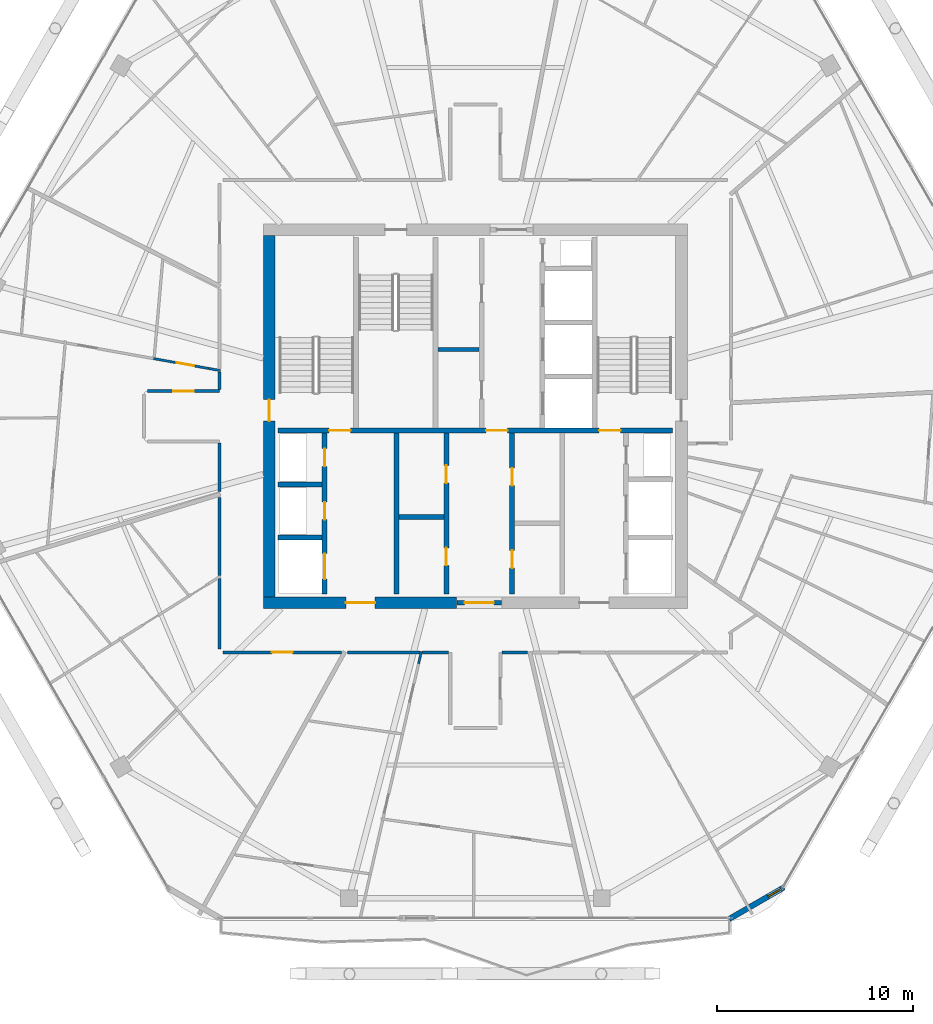
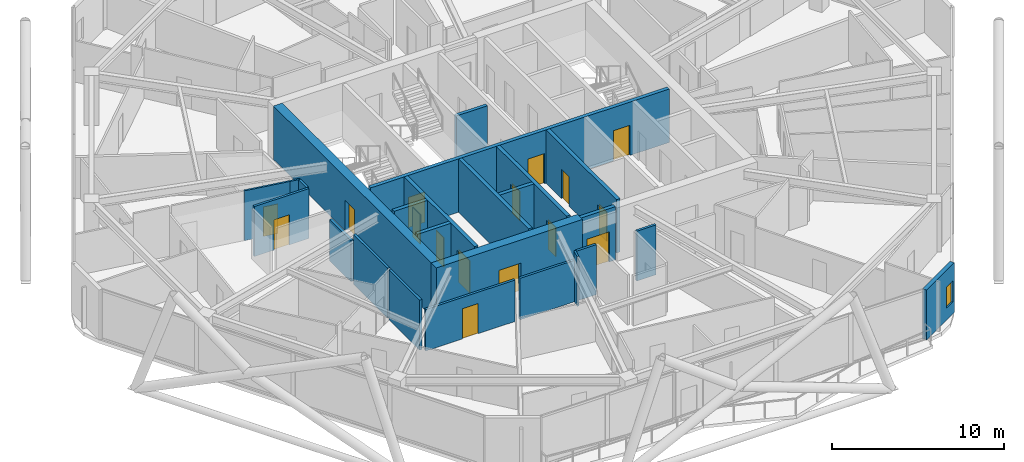
# One storey, part 21 of 27: 25 walls, 16 doors, 1 window, 17 openings.
"""IFC4 building model written with IfcOpenShell, lengths in metres."""

from ifc_helpers import new_model, si_unit, direction, frame, frame_2d, origin, place, context, subcontext, project, spatial, rectangle, extrude, material, layer, layer_set, type_object, element, fill, save


model = new_model("IFC4")

# Units and contexts
model_context = context("Model", 3, precision=1e-05, world=origin(), true_north=direction((0.0, 1.0)))
body_context = subcontext(model_context, "Body", "Model", "MODEL_VIEW")
ifc_project = project(units=[si_unit("LENGTHUNIT", "METRE"), si_unit("AREAUNIT", "SQUARE_METRE"), si_unit("VOLUMEUNIT", "CUBIC_METRE"), si_unit("PLANEANGLEUNIT", "RADIAN"), si_unit("MASSUNIT", "GRAM", prefix="KILO")], contexts=[model_context])

# Site, building, storey
site_placement = place(None, origin())
site = spatial("IfcSite", under=ifc_project, at=site_placement, CompositionType="ELEMENT")
building_placement = place(site_placement, origin())
building = spatial("IfcBuilding", under=site, at=building_placement, Name="Zuhravey Tower", CompositionType="ELEMENT")
storey_placement = place(building_placement, frame((0.0, 0.0, 276.800048828125)))
storey = spatial("IfcBuildingStorey", under=building, at=storey_placement, Name="L70", CompositionType="ELEMENT", Elevation=276.800048828125)

# Wall, opening, door
ifc_material_1 = material(Name="Concrete C50/60", Category="concrete")
ifc_layer_1 = layer(ifc_material_1, 0.60009765625)
ifc_layer_set_1 = layer_set([ifc_layer_1], Name="Concrete C50/60")
wall_type_1 = type_object("IfcWallType", Name="Core Shear Wall 600", PredefinedType="SHEAR", material=ifc_layer_set_1)
wall_1_placement = place(storey_placement, frame((25.199951171875, 22.5, 0.0), z_axis=(0.0, 0.0, 1.0), x_axis=(1.0, 0.0, 0.0)))
wall_1 = element("IfcWall", 1, at=wall_1_placement, inside=storey, type_object=wall_type_1, Name="L70 South-West Core Shear Wall CW60", PredefinedType="SHEAR", context=body_context, shape_type="SweptSolid", body=[
    extrude(rectangle(XDim=9.85009765625, YDim=0.60009765625, at=frame_2d((4.925048828125, 0.0))), origin(), (0.0, 0.0, 1.0), 3.800048828125),
])
opening_1_placement = place(wall_1_placement, frame((4.199951171875, 0.0, 0.0)))
opening_1 = element("IfcOpeningElement", 2, at=opening_1_placement, cuts=wall_1, Name="Opening FFD1", PredefinedType="OPENING", context=body_context, shape_type="SweptSolid", body=[
    extrude(rectangle(XDim=1.5, YDim=2.14990234375, at=frame_2d((0.75, 1.074951171875))), frame((0.0, 0.31201171875, 0.0), z_axis=(0.0, -1.0, 0.0), x_axis=(1.0, 0.0, 0.0)), (0.0, 0.0, 1.0), 0.6240234375),
])
ifc_material_2 = material(Name="Galvanised fire-rated steel leaf", Category="steel")
door_type_1 = type_object("IfcDoorType", Name="Firefighting Lobby Double Door 1500x2150", OperationType="DOUBLE_DOOR_SINGLE_SWING", PredefinedType="DOOR", material=ifc_material_2)
door_1_placement = place(opening_1_placement, origin())
door_1 = element("IfcDoor", 3, at=door_1_placement, inside=storey, type_object=door_type_1, Name="L70 Firefighting Lobby West Door", OperationType="DOUBLE_DOOR_SINGLE_SWING", OverallHeight=2.14990234375, OverallWidth=1.5, PredefinedType="DOOR", context=body_context, shape_type="SweptSolid", body=[
    extrude(rectangle(XDim=1.5, YDim=2.14990234375, at=frame_2d((0.75, 1.074951171875))), frame((0.0, 0.02490234375, 0.0), z_axis=(0.0, -1.0, 0.0), x_axis=(1.0, 0.0, 0.0)), (0.0, 0.0, 1.0), 0.050048828125),
])
fill(opening_1, door_1)

wall_2_placement = place(storey_placement, frame((25.5, 22.800048828125, 0.0), z_axis=(0.0, 0.0, 1.0), x_axis=(0.0, 1.0, 0.0)))
wall_2 = element("IfcWall", 4, at=wall_2_placement, inside=storey, type_object=wall_type_1, Name="L70 West Core Shear Wall CW60", PredefinedType="SHEAR", context=body_context, shape_type="SweptSolid", body=[
    extrude(rectangle(XDim=18.39990234375, YDim=0.60009765625, at=frame_2d((9.199951171875, 0.0))), origin(), (0.0, 0.0, 1.0), 3.800048828125),
])
opening_2_placement = place(wall_2_placement, frame((8.949951171875, 0.0, 0.0)))
opening_2 = element("IfcOpeningElement", 5, at=opening_2_placement, cuts=wall_2, Name="Opening STD1", PredefinedType="OPENING", context=body_context, shape_type="SweptSolid", body=[
    extrude(rectangle(XDim=1.10009765625, YDim=2.14990234375, at=frame_2d((0.550048828125, 1.074951171875))), frame((0.0, 0.31201171875, 0.0), z_axis=(0.0, -1.0, 0.0), x_axis=(1.0, 0.0, 0.0)), (0.0, 0.0, 1.0), 0.6240234375),
])
door_type_2 = type_object("IfcDoorType", Name="Protected Stair Fire Door 1100x2150", OperationType="NOTDEFINED", PredefinedType="USERDEFINED", material=ifc_material_2)
door_2_placement = place(opening_2_placement, frame((1.10009765625, 0.0, 0.0), z_axis=(0.0, 0.0, 1.0), x_axis=(-1.0, 0.0, 0.0)))
door_2 = element("IfcDoor", 6, at=door_2_placement, inside=storey, type_object=door_type_2, Name="L70 Stair ST1 Door", ObjectType="EXITDOOR", OperationType="SINGLE_SWING_RIGHT", OverallHeight=2.14990234375, OverallWidth=1.10009765625, PredefinedType="USERDEFINED", context=body_context, shape_type="SweptSolid", body=[
    extrude(rectangle(XDim=1.10009765625, YDim=2.14990234375, at=frame_2d((0.550048828125, 1.074951171875))), frame((0.0, 0.02490234375, 0.0), z_axis=(0.0, -1.0, 0.0), x_axis=(1.0, 0.0, 0.0)), (0.0, 0.0, 1.0), 0.050048828125),
])
fill(opening_2, door_2)

ifc_material_3 = material(Name="Gypsum fire-rated stud partition")
ifc_layer_2 = layer(ifc_material_3, 0.159912109375)
ifc_layer_set_2 = layer_set([ifc_layer_2], Name="Gypsum fire-rated stud partition")
wall_type_2 = type_object("IfcWallType", Name="Corridor Fire Partition 160", PredefinedType="PARTITIONING", material=ifc_layer_set_2)
wall_3_placement = place(storey_placement, frame((22.969970703125, 33.280029296875, 0.0), z_axis=(0.0, 0.0, 1.0), x_axis=(-1.0, 0.0, 0.0)))
wall_3 = element("IfcWall", 7, at=wall_3_placement, inside=storey, type_object=wall_type_2, Name="L70 IW16 Partition 026", PredefinedType="PARTITIONING", context=body_context, shape_type="SweptSolid", body=[
    extrude(rectangle(XDim=3.669921875, YDim=0.159912109375, at=frame_2d((1.8349609375, 0.0))), origin(), (0.0, 0.0, 1.0), 3.550048828125),
])
opening_3_placement = place(wall_3_placement, frame((1.31005859375, 0.0, 0.0)))
opening_3 = element("IfcOpeningElement", 8, at=opening_3_placement, cuts=wall_3, Name="Opening APD1", PredefinedType="OPENING", context=body_context, shape_type="SweptSolid", body=[
    extrude(rectangle(XDim=1.050048828125, YDim=2.14990234375, at=frame_2d((0.52490234375, 1.074951171875))), frame((0.0, 0.092041015625, 0.0), z_axis=(0.0, -1.0, 0.0), x_axis=(1.0, 0.0, 0.0)), (0.0, 0.0, 1.0), 0.183837890625),
])
ifc_material_4 = material(Name="Solid-core oak fire-rated leaf")
door_type_3 = type_object("IfcDoorType", Name="Apartment Entrance Fire Door 1050x2150", OperationType="NOTDEFINED", PredefinedType="DOOR", material=ifc_material_4)
door_3_placement = place(opening_3_placement, origin())
door_3 = element("IfcDoor", 9, at=door_3_placement, inside=storey, type_object=door_type_3, Name="L70 Door 026.1", OperationType="SINGLE_SWING_LEFT", OverallHeight=2.14990234375, OverallWidth=1.050048828125, PredefinedType="DOOR", context=body_context, shape_type="SweptSolid", body=[
    extrude(rectangle(XDim=1.050048828125, YDim=2.14990234375, at=frame_2d((0.52490234375, 1.074951171875))), frame((0.0, 0.02490234375, 0.0), z_axis=(0.0, -1.0, 0.0), x_axis=(1.0, 0.0, 0.0)), (0.0, 0.0, 1.0), 0.050048828125),
])
fill(opening_3, door_3)

wall_4_placement = place(storey_placement, frame((23.14990234375, 19.969970703125, 0.0), z_axis=(0.0, 0.0, 1.0), x_axis=(1.0, 0.0, 0.0)))
wall_4 = element("IfcWall", 10, at=wall_4_placement, inside=storey, type_object=wall_type_2, Name="L70 IW16 Partition 032", PredefinedType="PARTITIONING", context=body_context, shape_type="SweptSolid", body=[
    extrude(rectangle(XDim=6.02099609375, YDim=0.159912109375, at=frame_2d((3.010498046875, 0.0))), origin(), (0.0, 0.0, 1.0), 2.949951171875),
])
opening_4_placement = place(wall_4_placement, frame((2.4853515625, 0.0, 0.0)))
opening_4 = element("IfcOpeningElement", 11, at=opening_4_placement, cuts=wall_4, Name="Opening APD1", PredefinedType="OPENING", context=body_context, shape_type="SweptSolid", body=[
    extrude(rectangle(XDim=1.050048828125, YDim=2.14990234375, at=frame_2d((0.52490234375, 1.074951171875))), frame((0.0, 0.092041015625, 0.0), z_axis=(0.0, -1.0, 0.0), x_axis=(1.0, 0.0, 0.0)), (0.0, 0.0, 1.0), 0.183837890625),
])
door_4_placement = place(opening_4_placement, frame((1.050048828125, 0.0, 0.0), z_axis=(0.0, 0.0, 1.0), x_axis=(-1.0, 0.0, 0.0)))
door_4 = element("IfcDoor", 12, at=door_4_placement, inside=storey, type_object=door_type_3, Name="L70 Door 032.1", OperationType="SINGLE_SWING_LEFT", OverallHeight=2.14990234375, OverallWidth=1.050048828125, PredefinedType="DOOR", context=body_context, shape_type="SweptSolid", body=[
    extrude(rectangle(XDim=1.050048828125, YDim=2.14990234375, at=frame_2d((0.52490234375, 1.074951171875))), frame((0.0, 0.02490234375, 0.0), z_axis=(0.0, -1.0, 0.0), x_axis=(1.0, 0.0, 0.0)), (0.0, 0.0, 1.0), 0.050048828125),
])
fill(opening_4, door_4)

# Walls
wall_5_placement = place(storey_placement, frame((22.969970703125, 30.632080078125, 0.0), z_axis=(0.0, 0.0, 1.0), x_axis=(0.0, -1.0, 0.0)))
element("IfcWall", 13, at=wall_5_placement, inside=storey, type_object=wall_type_2, Name="L70 IW16 Partition 115", PredefinedType="PARTITIONING", context=body_context, shape_type="SweptSolid", body=[
    extrude(rectangle(XDim=2.470947265625, YDim=0.159912109375, at=frame_2d((1.2353515625, 0.0))), origin(), (0.0, 0.0, 1.0), 2.949951171875),
])
wall_6_placement = place(storey_placement, frame((22.969970703125, 34.26611328125, 0.0), z_axis=(0.0, 0.0, 1.0), x_axis=(0.0, -1.0, 0.0)))
element("IfcWall", 14, at=wall_6_placement, inside=storey, type_object=wall_type_2, Name="L70 IW16 Partition 117", PredefinedType="PARTITIONING", context=body_context, shape_type="SweptSolid", body=[
    extrude(rectangle(XDim=0.898193359375, YDim=0.159912109375, at=frame_2d((0.44921875, 0.0))), origin(), (0.0, 0.0, 1.0), 3.550048828125),
])
wall_7_placement = place(storey_placement, frame((22.969970703125, 23.73974609375, 0.0), z_axis=(0.0, 0.0, 1.0), x_axis=(0.0, -1.0, 0.0)))
element("IfcWall", 15, at=wall_7_placement, inside=storey, type_object=wall_type_2, Name="L70 IW16 Partition 119", PredefinedType="PARTITIONING", context=body_context, shape_type="SweptSolid", body=[
    extrude(rectangle(XDim=3.58984375, YDim=0.159912109375, at=frame_2d((1.794921875, 0.0))), origin(), (0.0, 0.0, 1.0), 3.550048828125),
])
wall_8_placement = place(storey_placement, frame((22.969970703125, 27.87060546875, 0.0), z_axis=(0.0, 0.0, 1.0), x_axis=(0.0, -1.0, 0.0)))
element("IfcWall", 16, at=wall_8_placement, inside=storey, type_object=wall_type_2, Name="L70 IW16 Partition 120", PredefinedType="PARTITIONING", context=body_context, shape_type="SweptSolid", body=[
    extrude(rectangle(XDim=3.970458984375, YDim=0.159912109375, at=frame_2d((1.9853515625, 0.0))), origin(), (0.0, 0.0, 1.0), 3.550048828125),
])
wall_9_placement = place(storey_placement, frame((33.31005859375, 19.969970703125, 0.0), z_axis=(0.0, 0.0, 1.0), x_axis=(1.0, 0.0, 0.0)))
element("IfcWall", 17, at=wall_9_placement, inside=storey, type_object=wall_type_2, Name="L70 IW16 Partition 123", PredefinedType="PARTITIONING", context=body_context, shape_type="SweptSolid", body=[
    extrude(rectangle(XDim=1.322021484375, YDim=0.159912109375, at=frame_2d((0.6611328125, 0.0))), origin(), (0.0, 0.0, 1.0), 3.550048828125),
])
wall_10_placement = place(storey_placement, frame((37.367919921875, 19.969970703125, 0.0), z_axis=(0.0, 0.0, 1.0), x_axis=(1.0, 0.0, 0.0)))
element("IfcWall", 18, at=wall_10_placement, inside=storey, type_object=wall_type_2, Name="L70 IW16 Partition 124", PredefinedType="PARTITIONING", context=body_context, shape_type="SweptSolid", body=[
    extrude(rectangle(XDim=1.278564453125, YDim=0.159912109375, at=frame_2d((0.63916015625, 0.0))), origin(), (0.0, 0.0, 1.0), 3.550048828125),
])
wall_11_placement = place(storey_placement, frame((29.490966796875, 19.969970703125, 0.0), z_axis=(0.0, 0.0, 1.0), x_axis=(1.0, 0.0, 0.0)))
element("IfcWall", 19, at=wall_11_placement, inside=storey, type_object=wall_type_2, Name="L70 IW16 Partition 125", PredefinedType="PARTITIONING", context=body_context, shape_type="SweptSolid", body=[
    extrude(rectangle(XDim=3.6796875, YDim=0.159912109375, at=frame_2d((1.83984375, 0.0))), origin(), (0.0, 0.0, 1.0), 2.949951171875),
])

# Wall, opening, window
ifc_material_5 = material(Name="Precast concrete C40/50", Category="concrete")
ifc_layer_3 = layer(ifc_material_5, 0.280029296875)
ifc_layer_set_3 = layer_set([ifc_layer_3], Name="Precast concrete C40/50")
wall_type_3 = type_object("IfcWallType", Name="Crown Architectural Wall 280", PredefinedType="SOLIDWALL", material=ifc_layer_set_3)
wall_12_placement = place(storey_placement, frame((51.714599609375, 7.996337890625, 0.0), z_axis=(0.0, 0.0, 1.0), x_axis=(-0.866028773314, -0.499994163758, 0.0)))
wall_12 = element("IfcWall", 20, at=wall_12_placement, inside=storey, type_object=wall_type_3, Name="L70 Rounded Corner Closure Wall EW28-02", PredefinedType="SOLIDWALL", context=body_context, shape_type="SweptSolid", body=[
    extrude(rectangle(XDim=3.21484375, YDim=0.280029296875, at=frame_2d((1.607421875, 0.0))), origin(), (0.0, 0.0, 1.0), 3.550048828125),
])
opening_5_placement = place(wall_12_placement, frame((0.17578125, 0.0, 0.85009765625)))
opening_5 = element("IfcOpeningElement", 21, at=opening_5_placement, cuts=wall_12, Name="Opening WN5", PredefinedType="OPENING", context=body_context, shape_type="SweptSolid", body=[
    extrude(rectangle(XDim=0.75, YDim=1.5, at=frame_2d((0.375, 0.75))), frame((0.0, 0.152099609375, 0.0), z_axis=(0.0, -1.0, 0.0), x_axis=(1.0, 0.0, 0.0)), (0.0, 0.0, 1.0), 0.303955078125),
])
ifc_material_6 = material(Name="Thermally broken aluminium and triple low-E glass", Category="aluminium")
window_type = type_object("IfcWindowType", Name="Residential Corner Casement Window 750x1500", PartitioningType="SINGLE_PANEL", PredefinedType="WINDOW", material=ifc_material_6)
window_placement = place(opening_5_placement, origin())
window = element("IfcWindow", 22, at=window_placement, inside=storey, type_object=window_type, Name="L70 Corner Casement Window WN5-02.1", OverallHeight=1.5, OverallWidth=0.75, PartitioningType="SINGLE_PANEL", PredefinedType="WINDOW", context=body_context, shape_type="SweptSolid", body=[
    extrude(rectangle(XDim=0.75, YDim=1.5, at=frame_2d((0.375, 0.75))), frame((0.0, 0.030029296875, 0.0), z_axis=(0.0, -1.0, 0.0), x_axis=(1.0, 0.0, 0.0)), (0.0, 0.0, 1.0), 0.06005859375),
])
fill(opening_5, window)

# Wall, opening, door
ifc_layer_4 = layer(ifc_material_1, 0.25)
ifc_layer_set_4 = layer_set([ifc_layer_4], Name="Concrete C50/60")
wall_type_4 = type_object("IfcWallType", Name="Firefighting Shaft & Stair Wall 250", PredefinedType="SOLIDWALL", material=ifc_layer_set_4)
wall_13_placement = place(storey_placement, frame((35.06005859375, 22.5, 0.0), z_axis=(0.0, 0.0, 1.0), x_axis=(1.0, 0.0, 0.0)))
wall_13 = element("IfcWall", 23, at=wall_13_placement, inside=storey, type_object=wall_type_4, Name="L70 FW25 Shaft Wall 001", PredefinedType="SOLIDWALL", context=body_context, shape_type="SweptSolid", body=[
    extrude(rectangle(XDim=2.280029296875, YDim=0.25, at=frame_2d((1.14013671875, 0.0))), origin(), (0.0, 0.0, 1.0), 3.800048828125),
])
opening_6_placement = place(wall_13_placement, frame((0.389892578125, 0.0, 0.0)))
opening_6 = element("IfcOpeningElement", 24, at=opening_6_placement, cuts=wall_13, Name="Opening FFD1", PredefinedType="OPENING", context=body_context, shape_type="SweptSolid", body=[
    extrude(rectangle(XDim=1.5, YDim=2.14990234375, at=frame_2d((0.75, 1.074951171875))), frame((0.0, 0.136962890625, 0.0), z_axis=(0.0, -1.0, 0.0), x_axis=(1.0, 0.0, 0.0)), (0.0, 0.0, 1.0), 0.27392578125),
])
door_5_placement = place(opening_6_placement, frame((1.5, 0.0, 0.0), z_axis=(0.0, 0.0, 1.0), x_axis=(-1.0, 0.0, 0.0)))
door_5 = element("IfcDoor", 25, at=door_5_placement, inside=storey, type_object=door_type_1, Name="L70 South Lift Lobby Exit Door", OperationType="DOUBLE_DOOR_SINGLE_SWING", OverallHeight=2.14990234375, OverallWidth=1.5, PredefinedType="DOOR", context=body_context, shape_type="SweptSolid", body=[
    extrude(rectangle(XDim=1.5, YDim=2.14990234375, at=frame_2d((0.75, 1.074951171875))), frame((0.0, 0.02490234375, 0.0), z_axis=(0.0, -1.0, 0.0), x_axis=(1.0, 0.0, 0.0)), (0.0, 0.0, 1.0), 0.050048828125),
])
fill(opening_6, door_5)

# Wall, openings, doors
wall_14_placement = place(storey_placement, frame((25.949951171875, 31.27490234375, 0.0), z_axis=(0.0, 0.0, 1.0), x_axis=(1.0, 0.0, 0.0)))
wall_14 = element("IfcWall", 26, at=wall_14_placement, inside=storey, type_object=wall_type_4, Name="L70 FW25 Shaft Wall 003", PredefinedType="SOLIDWALL", context=body_context, shape_type="SweptSolid", body=[
    extrude(rectangle(XDim=20.10009765625, YDim=0.25, at=frame_2d((10.050048828125, 0.0))), origin(), (0.0, 0.0, 1.0), 3.800048828125),
])
opening_7_placement = place(wall_14_placement, frame((2.60009765625, 0.0, 0.0)))
opening_7 = element("IfcOpeningElement", 27, at=opening_7_placement, cuts=wall_14, Name="Opening STD1", PredefinedType="OPENING", context=body_context, shape_type="SweptSolid", body=[
    extrude(rectangle(XDim=1.10009765625, YDim=2.14990234375, at=frame_2d((0.550048828125, 1.074951171875))), frame((0.0, 0.136962890625, 0.0), z_axis=(0.0, -1.0, 0.0), x_axis=(1.0, 0.0, 0.0)), (0.0, 0.0, 1.0), 0.27392578125),
])
opening_8_placement = place(wall_14_placement, frame((10.60009765625, 0.0, 0.0)))
opening_8 = element("IfcOpeningElement", 28, at=opening_8_placement, cuts=wall_14, Name="Opening STD1", PredefinedType="OPENING", context=body_context, shape_type="SweptSolid", body=[
    extrude(rectangle(XDim=1.10009765625, YDim=2.14990234375, at=frame_2d((0.550048828125, 1.074951171875))), frame((0.0, 0.136962890625, 0.0), z_axis=(0.0, -1.0, 0.0), x_axis=(1.0, 0.0, 0.0)), (0.0, 0.0, 1.0), 0.27392578125),
])
opening_9_placement = place(wall_14_placement, frame((16.35009765625, 0.0, 0.0)))
opening_9 = element("IfcOpeningElement", 29, at=opening_9_placement, cuts=wall_14, Name="Opening STD1", PredefinedType="OPENING", context=body_context, shape_type="SweptSolid", body=[
    extrude(rectangle(XDim=1.10009765625, YDim=2.14990234375, at=frame_2d((0.550048828125, 1.074951171875))), frame((0.0, 0.136962890625, 0.0), z_axis=(0.0, -1.0, 0.0), x_axis=(1.0, 0.0, 0.0)), (0.0, 0.0, 1.0), 0.27392578125),
])
door_6_placement = place(opening_7_placement, origin())
door_6 = element("IfcDoor", 30, at=door_6_placement, inside=storey, type_object=door_type_2, Name="L70 FFL-W to ST1 Door", ObjectType="EXITDOOR", OperationType="SINGLE_SWING_LEFT", OverallHeight=2.14990234375, OverallWidth=1.10009765625, PredefinedType="USERDEFINED", context=body_context, shape_type="SweptSolid", body=[
    extrude(rectangle(XDim=1.10009765625, YDim=2.14990234375, at=frame_2d((0.550048828125, 1.074951171875))), frame((0.0, 0.02490234375, 0.0), z_axis=(0.0, -1.0, 0.0), x_axis=(1.0, 0.0, 0.0)), (0.0, 0.0, 1.0), 0.050048828125),
])
fill(opening_7, door_6)
door_7_placement = place(opening_8_placement, origin())
door_7 = element("IfcDoor", 31, at=door_7_placement, inside=storey, type_object=door_type_2, Name="L70 Core Lobby Link Door", ObjectType="EXITDOOR", OperationType="SINGLE_SWING_RIGHT", OverallHeight=2.14990234375, OverallWidth=1.10009765625, PredefinedType="USERDEFINED", context=body_context, shape_type="SweptSolid", body=[
    extrude(rectangle(XDim=1.10009765625, YDim=2.14990234375, at=frame_2d((0.550048828125, 1.074951171875))), frame((0.0, 0.02490234375, 0.0), z_axis=(0.0, -1.0, 0.0), x_axis=(1.0, 0.0, 0.0)), (0.0, 0.0, 1.0), 0.050048828125),
])
fill(opening_8, door_7)
door_8_placement = place(opening_9_placement, origin())
door_8 = element("IfcDoor", 32, at=door_8_placement, inside=storey, type_object=door_type_2, Name="L70 FFL-E to ST2 Door", ObjectType="EXITDOOR", OperationType="SINGLE_SWING_LEFT", OverallHeight=2.14990234375, OverallWidth=1.10009765625, PredefinedType="USERDEFINED", context=body_context, shape_type="SweptSolid", body=[
    extrude(rectangle(XDim=1.10009765625, YDim=2.14990234375, at=frame_2d((0.550048828125, 1.074951171875))), frame((0.0, 0.02490234375, 0.0), z_axis=(0.0, -1.0, 0.0), x_axis=(1.0, 0.0, 0.0)), (0.0, 0.0, 1.0), 0.050048828125),
])
fill(opening_9, door_8)

# Walls
for number, where, z_axis, x_axis, name in (
    (33, (25.949951171875, 25.824951171875, 0.0), (0.0, 0.0, 1.0), (1.0, 0.0, 0.0), "L70 FW25 Shaft Wall 009"),
    (34, (25.949951171875, 28.52490234375, 0.0), (0.0, 0.0, 1.0), (1.0, 0.0, 0.0), "L70 FW25 Shaft Wall 010"),
):
    element("IfcWall", number, at=place(storey_placement, frame(where, z_axis=z_axis, x_axis=x_axis)), inside=storey, type_object=wall_type_4, Name=name, PredefinedType="SOLIDWALL", context=body_context, shape_type="SweptSolid", body=[
        extrude(rectangle(XDim=2.25, YDim=0.25, at=frame_2d((1.125, 0.0))), origin(), (0.0, 0.0, 1.0), 3.800048828125),
    ])

# Wall, openings, doors
wall_15_placement = place(storey_placement, frame((28.324951171875, 22.949951171875, 0.0), z_axis=(0.0, 0.0, 1.0), x_axis=(0.0, 1.0, 0.0)))
wall_15 = element("IfcWall", 35, at=wall_15_placement, inside=storey, type_object=wall_type_4, Name="L70 FW25 Shaft Wall 011", PredefinedType="SOLIDWALL", context=body_context, shape_type="SweptSolid", body=[
    extrude(rectangle(XDim=8.199951171875, YDim=0.25, at=frame_2d((4.10009765625, 0.0))), origin(), (0.0, 0.0, 1.0), 3.800048828125),
])
opening_10_placement = place(wall_15_placement, frame((0.75, 0.0, 0.0)))
opening_10 = element("IfcOpeningElement", 36, at=opening_10_placement, cuts=wall_15, Name="Opening LD2", PredefinedType="OPENING", context=body_context, shape_type="SweptSolid", body=[
    extrude(rectangle(XDim=1.300048828125, YDim=2.300048828125, at=frame_2d((0.64990234375, 1.14990234375))), frame((0.0, 0.136962890625, 0.0), z_axis=(0.0, -1.0, 0.0), x_axis=(1.0, 0.0, 0.0)), (0.0, 0.0, 1.0), 0.27392578125),
])
opening_11_placement = place(wall_15_placement, frame((3.780029296875, 0.0, 0.0)))
opening_11 = element("IfcOpeningElement", 37, at=opening_11_placement, cuts=wall_15, Name="Opening RSD1", PredefinedType="OPENING", context=body_context, shape_type="SweptSolid", body=[
    extrude(rectangle(XDim=0.89990234375, YDim=2.10009765625, at=frame_2d((0.449951171875, 1.050048828125))), frame((0.0, 0.136962890625, 0.0), z_axis=(0.0, -1.0, 0.0), x_axis=(1.0, 0.0, 0.0)), (0.0, 0.0, 1.0), 0.27392578125),
])
opening_12_placement = place(wall_15_placement, frame((6.5, 0.0, 0.0)))
opening_12 = element("IfcOpeningElement", 38, at=opening_12_placement, cuts=wall_15, Name="Opening RSD1", PredefinedType="OPENING", context=body_context, shape_type="SweptSolid", body=[
    extrude(rectangle(XDim=0.89990234375, YDim=2.10009765625, at=frame_2d((0.449951171875, 1.050048828125))), frame((0.0, 0.136962890625, 0.0), z_axis=(0.0, -1.0, 0.0), x_axis=(1.0, 0.0, 0.0)), (0.0, 0.0, 1.0), 0.27392578125),
])
ifc_material_7 = material(Name="Brushed stainless steel", Category="steel")
door_type_4 = type_object("IfcDoorType", Name="Freight & Stretcher Lift Sliding Door 1300x2300", OperationType="DOUBLE_DOOR_SLIDING", PredefinedType="DOOR", material=ifc_material_7)
door_9_placement = place(opening_10_placement, frame((1.300048828125, 0.0, 0.0), z_axis=(0.0, 0.0, 1.0), x_axis=(-1.0, 0.0, 0.0)))
door_9 = element("IfcDoor", 39, at=door_9_placement, inside=storey, type_object=door_type_4, Name="L70 Lift FF1 Landing Door", OperationType="DOUBLE_DOOR_SLIDING", OverallHeight=2.300048828125, OverallWidth=1.300048828125, PredefinedType="DOOR", context=body_context, shape_type="SweptSolid", body=[
    extrude(rectangle(XDim=1.300048828125, YDim=2.300048828125, at=frame_2d((0.64990234375, 1.14990234375))), frame((0.0, 0.02490234375, 0.0), z_axis=(0.0, -1.0, 0.0), x_axis=(1.0, 0.0, 0.0)), (0.0, 0.0, 1.0), 0.050048828125),
])
fill(opening_10, door_9)
ifc_material_8 = material(Name="Galvanised fire-rated steel access leaf", Category="steel")
door_type_5 = type_object("IfcDoorType", Name="Riser & Shaft Access Fire Door 900x2100", OperationType="NOTDEFINED", PredefinedType="DOOR", material=ifc_material_8)
door_10_placement = place(opening_11_placement, frame((0.89990234375, 0.0, 0.0), z_axis=(0.0, 0.0, 1.0), x_axis=(-1.0, 0.0, 0.0)))
door_10 = element("IfcDoor", 40, at=door_10_placement, inside=storey, type_object=door_type_5, Name="L70 Electrical Riser Door", OperationType="SINGLE_SWING_LEFT", OverallHeight=2.10009765625, OverallWidth=0.89990234375, PredefinedType="DOOR", context=body_context, shape_type="SweptSolid", body=[
    extrude(rectangle(XDim=0.89990234375, YDim=2.10009765625, at=frame_2d((0.449951171875, 1.050048828125))), frame((0.0, 0.02490234375, 0.0), z_axis=(0.0, -1.0, 0.0), x_axis=(1.0, 0.0, 0.0)), (0.0, 0.0, 1.0), 0.050048828125),
])
fill(opening_11, door_10)
door_11_placement = place(opening_12_placement, frame((0.89990234375, 0.0, 0.0), z_axis=(0.0, 0.0, 1.0), x_axis=(-1.0, 0.0, 0.0)))
door_11 = element("IfcDoor", 41, at=door_11_placement, inside=storey, type_object=door_type_5, Name="L70 Smoke Shaft Access Door", OperationType="SINGLE_SWING_RIGHT", OverallHeight=2.10009765625, OverallWidth=0.89990234375, PredefinedType="DOOR", context=body_context, shape_type="SweptSolid", body=[
    extrude(rectangle(XDim=0.89990234375, YDim=2.10009765625, at=frame_2d((0.449951171875, 1.050048828125))), frame((0.0, 0.02490234375, 0.0), z_axis=(0.0, -1.0, 0.0), x_axis=(1.0, 0.0, 0.0)), (0.0, 0.0, 1.0), 0.050048828125),
])
fill(opening_12, door_11)

# Walls
wall_16_placement = place(storey_placement, frame((31.97509765625, 22.949951171875, 0.0), z_axis=(0.0, 0.0, 1.0), x_axis=(0.0, 1.0, 0.0)))
element("IfcWall", 42, at=wall_16_placement, inside=storey, type_object=wall_type_4, Name="L70 FW25 Shaft Wall 012", PredefinedType="SOLIDWALL", context=body_context, shape_type="SweptSolid", body=[
    extrude(rectangle(XDim=8.199951171875, YDim=0.25, at=frame_2d((4.10009765625, 0.0))), origin(), (0.0, 0.0, 1.0), 3.800048828125),
])
wall_17_placement = place(storey_placement, frame((32.10009765625, 26.875, 0.0), z_axis=(0.0, 0.0, 1.0), x_axis=(1.0, 0.0, 0.0)))
element("IfcWall", 43, at=wall_17_placement, inside=storey, type_object=wall_type_4, Name="L70 FW25 Shaft Wall 013", PredefinedType="SOLIDWALL", context=body_context, shape_type="SweptSolid", body=[
    extrude(rectangle(XDim=2.2998046875, YDim=0.25, at=frame_2d((1.14990234375, 0.0))), origin(), (0.0, 0.0, 1.0), 3.800048828125),
])

# Wall, openings, doors
wall_18_placement = place(storey_placement, frame((34.52490234375, 22.949951171875, 0.0), z_axis=(0.0, 0.0, 1.0), x_axis=(0.0, 1.0, 0.0)))
wall_18 = element("IfcWall", 44, at=wall_18_placement, inside=storey, type_object=wall_type_4, Name="L70 FW25 Shaft Wall 014", PredefinedType="SOLIDWALL", context=body_context, shape_type="SweptSolid", body=[
    extrude(rectangle(XDim=8.199951171875, YDim=0.25, at=frame_2d((4.10009765625, 0.0))), origin(), (0.0, 0.0, 1.0), 3.800048828125),
])
opening_13_placement = place(wall_18_placement, frame((1.449951171875, 0.0, 0.0)))
opening_13 = element("IfcOpeningElement", 45, at=opening_13_placement, cuts=wall_18, Name="Opening RSD1", PredefinedType="OPENING", context=body_context, shape_type="SweptSolid", body=[
    extrude(rectangle(XDim=0.89990234375, YDim=2.10009765625, at=frame_2d((0.449951171875, 1.050048828125))), frame((0.0, 0.136962890625, 0.0), z_axis=(0.0, -1.0, 0.0), x_axis=(1.0, 0.0, 0.0)), (0.0, 0.0, 1.0), 0.27392578125),
])
opening_14_placement = place(wall_18_placement, frame((5.64990234375, 0.0, 0.0)))
opening_14 = element("IfcOpeningElement", 46, at=opening_14_placement, cuts=wall_18, Name="Opening RSD1", PredefinedType="OPENING", context=body_context, shape_type="SweptSolid", body=[
    extrude(rectangle(XDim=0.89990234375, YDim=2.10009765625, at=frame_2d((0.449951171875, 1.050048828125))), frame((0.0, 0.136962890625, 0.0), z_axis=(0.0, -1.0, 0.0), x_axis=(1.0, 0.0, 0.0)), (0.0, 0.0, 1.0), 0.27392578125),
])
door_12_placement = place(opening_13_placement, origin())
door_12 = element("IfcDoor", 47, at=door_12_placement, inside=storey, type_object=door_type_5, Name="L70 Housekeeping and Linen Room Door", OperationType="SINGLE_SWING_LEFT", OverallHeight=2.10009765625, OverallWidth=0.89990234375, PredefinedType="DOOR", context=body_context, shape_type="SweptSolid", body=[
    extrude(rectangle(XDim=0.89990234375, YDim=2.10009765625, at=frame_2d((0.449951171875, 1.050048828125))), frame((0.0, 0.02490234375, 0.0), z_axis=(0.0, -1.0, 0.0), x_axis=(1.0, 0.0, 0.0)), (0.0, 0.0, 1.0), 0.050048828125),
])
fill(opening_13, door_12)
door_13_placement = place(opening_14_placement, origin())
door_13 = element("IfcDoor", 48, at=door_13_placement, inside=storey, type_object=door_type_5, Name="L70 Telecoms Switch Closet Door", OperationType="SINGLE_SWING_RIGHT", OverallHeight=2.10009765625, OverallWidth=0.89990234375, PredefinedType="DOOR", context=body_context, shape_type="SweptSolid", body=[
    extrude(rectangle(XDim=0.89990234375, YDim=2.10009765625, at=frame_2d((0.449951171875, 1.050048828125))), frame((0.0, 0.02490234375, 0.0), z_axis=(0.0, -1.0, 0.0), x_axis=(1.0, 0.0, 0.0)), (0.0, 0.0, 1.0), 0.050048828125),
])
fill(opening_14, door_13)

wall_19_placement = place(storey_placement, frame((37.875, 22.949951171875, 0.0), z_axis=(0.0, 0.0, 1.0), x_axis=(0.0, 1.0, 0.0)))
wall_19 = element("IfcWall", 49, at=wall_19_placement, inside=storey, type_object=wall_type_4, Name="L70 FW25 Shaft Wall 016", PredefinedType="SOLIDWALL", context=body_context, shape_type="SweptSolid", body=[
    extrude(rectangle(XDim=8.199951171875, YDim=0.25, at=frame_2d((4.10009765625, 0.0))), origin(), (0.0, 0.0, 1.0), 3.800048828125),
])
opening_15_placement = place(wall_19_placement, frame((1.3125, 0.0, 0.0)))
opening_15 = element("IfcOpeningElement", 50, at=opening_15_placement, cuts=wall_19, Name="Opening RSD1", PredefinedType="OPENING", context=body_context, shape_type="SweptSolid", body=[
    extrude(rectangle(XDim=0.89990234375, YDim=2.10009765625, at=frame_2d((0.449951171875, 1.050048828125))), frame((0.0, 0.136962890625, 0.0), z_axis=(0.0, -1.0, 0.0), x_axis=(1.0, 0.0, 0.0)), (0.0, 0.0, 1.0), 0.27392578125),
])
opening_16_placement = place(wall_19_placement, frame((5.512451171875, 0.0, 0.0)))
opening_16 = element("IfcOpeningElement", 51, at=opening_16_placement, cuts=wall_19, Name="Opening RSD1", PredefinedType="OPENING", context=body_context, shape_type="SweptSolid", body=[
    extrude(rectangle(XDim=0.89990234375, YDim=2.10009765625, at=frame_2d((0.449951171875, 1.050048828125))), frame((0.0, 0.136962890625, 0.0), z_axis=(0.0, -1.0, 0.0), x_axis=(1.0, 0.0, 0.0)), (0.0, 0.0, 1.0), 0.27392578125),
])
door_14_placement = place(opening_15_placement, frame((0.89990234375, 0.0, 0.0), z_axis=(0.0, 0.0, 1.0), x_axis=(-1.0, 0.0, 0.0)))
door_14 = element("IfcDoor", 52, at=door_14_placement, inside=storey, type_object=door_type_5, Name="L70 Trunk Store Door", OperationType="SINGLE_SWING_LEFT", OverallHeight=2.10009765625, OverallWidth=0.89990234375, PredefinedType="DOOR", context=body_context, shape_type="SweptSolid", body=[
    extrude(rectangle(XDim=0.89990234375, YDim=2.10009765625, at=frame_2d((0.449951171875, 1.050048828125))), frame((0.0, 0.02490234375, 0.0), z_axis=(0.0, -1.0, 0.0), x_axis=(1.0, 0.0, 0.0)), (0.0, 0.0, 1.0), 0.050048828125),
])
fill(opening_15, door_14)
door_15_placement = place(opening_16_placement, frame((0.89990234375, 0.0, 0.0), z_axis=(0.0, 0.0, 1.0), x_axis=(-1.0, 0.0, 0.0)))
door_15 = element("IfcDoor", 53, at=door_15_placement, inside=storey, type_object=door_type_5, Name="L70 Fiber Room Door", OperationType="SINGLE_SWING_RIGHT", OverallHeight=2.10009765625, OverallWidth=0.89990234375, PredefinedType="DOOR", context=body_context, shape_type="SweptSolid", body=[
    extrude(rectangle(XDim=0.89990234375, YDim=2.10009765625, at=frame_2d((0.449951171875, 1.050048828125))), frame((0.0, 0.02490234375, 0.0), z_axis=(0.0, -1.0, 0.0), x_axis=(1.0, 0.0, 0.0)), (0.0, 0.0, 1.0), 0.050048828125),
])
fill(opening_16, door_15)

# Wall
ifc_material_9 = material(Name="Gypsum acoustic stud assembly")
ifc_layer_5 = layer(ifc_material_9, 0.219970703125)
ifc_layer_set_5 = layer_set([ifc_layer_5], Name="Gypsum acoustic stud assembly")
wall_type_5 = type_object("IfcWallType", Name="School Acoustic Compartment Wall 220", PredefinedType="PARTITIONING", material=ifc_layer_set_5)
wall_20_placement = place(storey_placement, frame((34.10791015625, 35.39990234375, 0.0), z_axis=(0.0, 0.0, 1.0), x_axis=(1.0, 0.0, 0.0)))
element("IfcWall", 54, at=wall_20_placement, inside=storey, type_object=wall_type_5, Name="L70 IW22 Partition 066", PredefinedType="PARTITIONING", context=body_context, shape_type="SweptSolid", body=[
    extrude(rectangle(XDim=2.083984375, YDim=0.219970703125, at=frame_2d((1.0419921875, 0.0))), origin(), (0.0, 0.0, 1.0), 3.550048828125),
])

# Wall, opening, door
ifc_material_10 = material(Name="Gypsum metal-stud partition")
ifc_layer_6 = layer(ifc_material_10, 0.1201171875)
ifc_layer_set_6 = layer_set([ifc_layer_6], Name="Gypsum metal-stud partition")
wall_type_6 = type_object("IfcWallType", Name="Unit Internal Partition 120", PredefinedType="PARTITIONING", material=ifc_layer_set_6)
wall_21_placement = place(storey_placement, frame((22.39990234375, 34.437255859375, 0.0), z_axis=(0.0, 0.0, 1.0), x_axis=(-0.984321470617, 0.176383793142, 0.0)))
wall_21 = element("IfcWall", 55, at=wall_21_placement, inside=storey, type_object=wall_type_6, Name="L70 IW12 Partition 022", PredefinedType="PARTITIONING", context=body_context, shape_type="SweptSolid", body=[
    extrude(rectangle(XDim=2.834716796875, YDim=0.1201171875, at=frame_2d((1.41748046875, 0.0))), origin(), (0.0, 0.0, 1.0), 3.550048828125),
])
opening_17_placement = place(wall_21_placement, frame((0.74072265625, 0.0, 0.0)))
opening_17 = element("IfcOpeningElement", 56, at=opening_17_placement, cuts=wall_21, Name="Opening WCD1", PredefinedType="OPENING", context=body_context, shape_type="SweptSolid", body=[
    extrude(rectangle(XDim=0.89990234375, YDim=2.10009765625, at=frame_2d((0.449951171875, 1.050048828125))), frame((0.0, 0.072021484375, 0.0), z_axis=(0.0, -1.0, 0.0), x_axis=(1.0, 0.0, 0.0)), (0.0, 0.0, 1.0), 0.14404296875),
])
ifc_material_11 = material(Name="Moisture-resistant timber leaf", Category="wood")
door_type_6 = type_object("IfcDoorType", Name="Bathroom & WC Internal Door 900x2100", OperationType="NOTDEFINED", PredefinedType="DOOR", material=ifc_material_11)
door_16_placement = place(opening_17_placement, frame((0.89990234375, 0.0, 0.0), z_axis=(0.0, 0.0, 1.0), x_axis=(-1.0, 0.0, 0.0)))
door_16 = element("IfcDoor", 57, at=door_16_placement, inside=storey, type_object=door_type_6, Name="Apartment L70-01 Bathroom Door", OperationType="SINGLE_SWING_RIGHT", OverallHeight=2.10009765625, OverallWidth=0.89990234375, PredefinedType="DOOR", context=body_context, shape_type="SweptSolid", body=[
    extrude(rectangle(XDim=0.89990234375, YDim=2.10009765625, at=frame_2d((0.449951171875, 1.050048828125))), frame((0.0, 0.02490234375, 0.0), z_axis=(0.0, -1.0, 0.0), x_axis=(1.0, 0.0, 0.0)), (0.0, 0.0, 1.0), 0.050048828125),
])
fill(opening_17, door_16)

# Walls
wall_22_placement = place(storey_placement, frame((23.0146484375, 34.3271484375, 0.0), z_axis=(0.0, 0.0, 1.0), x_axis=(-0.984335630705, 0.176304753554, 0.0)))
element("IfcWall", 58, at=wall_22_placement, inside=storey, type_object=wall_type_6, Name="L70 IW12 Partition 072", PredefinedType="PARTITIONING", context=body_context, shape_type="SweptSolid", body=[
    extrude(rectangle(XDim=0.62451171875, YDim=0.1201171875, at=frame_2d((0.312255859375, 0.0))), origin(), (0.0, 0.0, 1.0), 3.550048828125),
])
wall_23_placement = place(storey_placement, frame((33.25048828125, 20.014404296875, 0.0), z_axis=(0.0, 0.0, 1.0), x_axis=(-0.223445142746, -0.974716506572, 0.0)))
element("IfcWall", 59, at=wall_23_placement, inside=storey, type_object=wall_type_6, Name="L70 IW12 Partition 082", PredefinedType="PARTITIONING", context=body_context, shape_type="SweptSolid", body=[
    extrude(rectangle(XDim=0.63037109375, YDim=0.1201171875, at=frame_2d((0.315185546875, 0.0))), origin(), (0.0, 0.0, 1.0), 3.550048828125),
])

save(model, "model.ifc")
